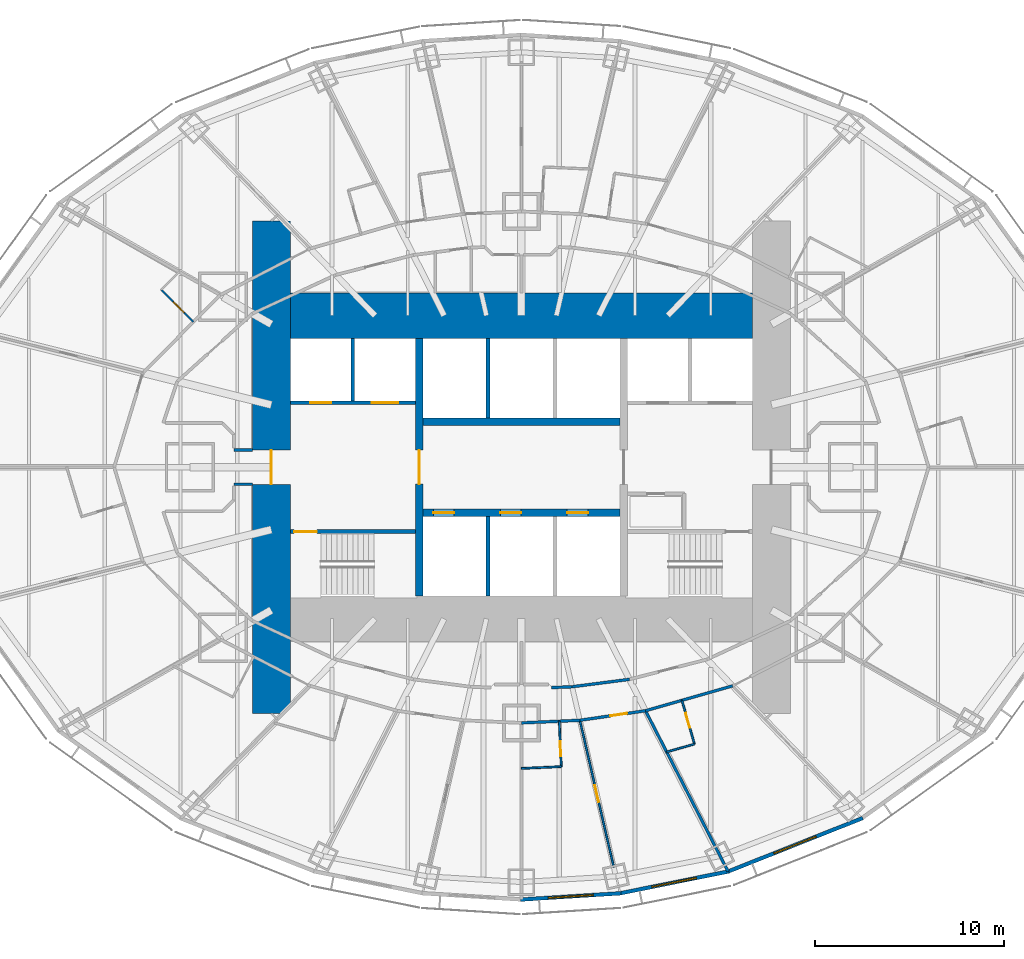
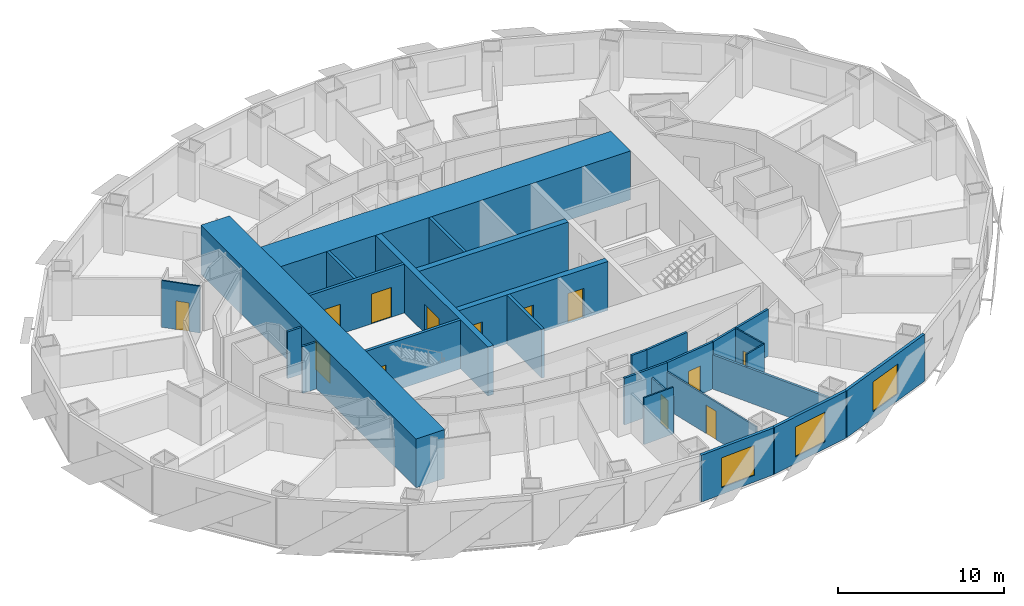
# One storey, part 6 of 15: 27 walls, 13 doors, 3 windows, 16 openings.
"""IFC4 building model written with IfcOpenShell, lengths in metres."""

import ifcopenshell
import ifcopenshell.guid

model = None  # the IFC model being written
_history = None  # IfcOwnerHistory: only IFC2X3 demands one
_inside = {}  # id of a spatial element -> (the spatial element, [elements in it])
_under = {}  # id of a project, library or spatial element -> (it, [spatial elements below it])
_declared = {}  # id of a project -> (the project, [libraries it declares])
_typed = {}  # id of a type object -> (the type object, [elements of that type])
_made_of = {}  # id of a material, layer set ... -> (it, [elements and type objects made of it])


def new_model(schema):
    """Start an empty IFC model of exactly this schema.

    Asked for "IFC4X3", IfcOpenShell would pick the latest addendum, in which some entities
    have other attributes; the version numbers below select the first issue.
    IFC2X3 requires an IfcOwnerHistory on every rooted entity: one is made here for all.
    """
    global model, _history
    if schema == "IFC4X3":
        model = ifcopenshell.file(schema_version=(4, 3, 0, 0))
    else:
        model = ifcopenshell.file(schema=schema)
    _inside.clear()
    _under.clear()
    _declared.clear()
    _typed.clear()
    _made_of.clear()
    _history = None
    if model.schema == "IFC2X3":
        org = make("IfcOrganization", Name="unknown")
        user = make(
            "IfcPersonAndOrganization",
            ThePerson=make("IfcPerson", FamilyName="unknown"),
            TheOrganization=org,
        )
        app = make(
            "IfcApplication",
            ApplicationDeveloper=org,
            Version="unknown",
            ApplicationFullName="unknown",
            ApplicationIdentifier="unknown",
        )
        _history = make(
            "IfcOwnerHistory",
            OwningUser=user,
            OwningApplication=app,
            ChangeAction="ADDED",
            CreationDate=0,
        )
    return model


def make(cls, **values):
    """One entity of the class cls with the attributes given. An attribute that is None is left unset."""
    return model.create_entity(
        cls, **{name: value for name, value in values.items() if value is not None}
    )


def rooted(cls, **values):
    """An entity with a GlobalId (a new one), such as an element, a storey or a relation."""
    return make(cls, GlobalId=ifcopenshell.guid.new(), OwnerHistory=_history, **values)


def si_unit(unit_type, name, prefix=None):
    """IfcSIUnit, for example si_unit("LENGTHUNIT", "METRE", prefix="MILLI")."""
    return make("IfcSIUnit", UnitType=unit_type, Prefix=prefix, Name=name)


def assignment(units):
    """IfcUnitAssignment: the units of a project."""
    return None if units is None else make("IfcUnitAssignment", Units=units)


def point(xyz):
    """IfcCartesianPoint."""
    return None if xyz is None else make("IfcCartesianPoint", Coordinates=xyz)


def direction(xyz):
    """IfcDirection."""
    return None if xyz is None else make("IfcDirection", DirectionRatios=xyz)


def frame(location, z_axis=None, x_axis=None):
    """IfcAxis2Placement3D, a coordinate frame: its origin and axes. An axis left out is left unset."""
    return make(
        "IfcAxis2Placement3D",
        Location=point(location),
        Axis=direction(z_axis),
        RefDirection=direction(x_axis),
    )


def frame_2d(location, x_axis=None):
    """IfcAxis2Placement2D, a coordinate frame in the plane: its origin and x axis."""
    return make(
        "IfcAxis2Placement2D", Location=point(location), RefDirection=direction(x_axis)
    )


def origin():
    """The frame at (0, 0, 0) with its axes left unset."""
    return frame((0.0, 0.0, 0.0))


def place(relative_to, where):
    """IfcLocalPlacement: puts the frame where relative to a parent placement (None: the world)."""
    return make(
        "IfcLocalPlacement", PlacementRelTo=relative_to, RelativePlacement=where
    )


def context(
    kind, dimensions, precision=None, world=None, true_north=None, identifier=None
):
    """IfcGeometricRepresentationContext, for example the 3D "Model" context."""
    return make(
        "IfcGeometricRepresentationContext",
        ContextIdentifier=identifier,
        ContextType=kind,
        CoordinateSpaceDimension=dimensions,
        Precision=precision,
        WorldCoordinateSystem=world,
        TrueNorth=true_north,
    )


def subcontext(parent, identifier, kind, view, scale=None):
    """IfcGeometricRepresentationSubContext, for example "Body" below "Model"."""
    return make(
        "IfcGeometricRepresentationSubContext",
        ContextIdentifier=identifier,
        ContextType=kind,
        ParentContext=parent,
        TargetScale=scale,
        TargetView=view,
    )


def project(units=None, contexts=None):
    """IfcProject with its units and contexts."""
    return rooted(
        "IfcProject",
        Name="project",
        RepresentationContexts=contexts,
        UnitsInContext=assignment(units),
    )


def spatial(cls, under=None, at=None, **own):
    """A site, building, storey or space (cls), placed at a placement, below another one or the project."""
    s = rooted(cls, ObjectPlacement=at, **own)
    if under is not None:
        _under.setdefault(under.id(), (under, []))[1].append(s)
    return s


def profile(cls, at=None, kind="AREA", **sizes):
    """A parametric profile (cls). Its sizes go by their IFC names, for example OverallWidth=200.0."""
    return make(cls, ProfileType=kind, Position=at, **sizes)


def rectangle(**sizes):
    """IfcRectangleProfileDef."""
    return profile("IfcRectangleProfileDef", **sizes)


def extrude(swept, where, along, depth):
    """IfcExtrudedAreaSolid: the profile swept, set in the frame where, extruded along a direction by depth."""
    return make(
        "IfcExtrudedAreaSolid",
        SweptArea=swept,
        Position=where,
        ExtrudedDirection=direction(along),
        Depth=depth,
    )


def shape(context_of_items, identifier, shape_type, items):
    """IfcShapeRepresentation: the items that make up one representation, for example the "Body"."""
    return make(
        "IfcShapeRepresentation",
        ContextOfItems=context_of_items,
        RepresentationIdentifier=identifier,
        RepresentationType=shape_type,
        Items=items,
    )


def material(Name=None, Category=None):
    """IfcMaterial."""
    return make("IfcMaterial", Name=Name, Category=Category)


def layer(
    of_material, thickness, ventilated=None, Name=None, Category=None, Priority=None
):
    """IfcMaterialLayer: one layer of a wall or slab, of a material (None: an air gap)."""
    return make(
        "IfcMaterialLayer",
        Material=of_material,
        LayerThickness=thickness,
        IsVentilated=ventilated,
        Name=Name,
        Category=Category,
        Priority=Priority,
    )


def layer_set(layers, Name=None):
    """IfcMaterialLayerSet."""
    return make("IfcMaterialLayerSet", MaterialLayers=layers, LayerSetName=Name)


def made_of(thing, what):
    """Note that an element or type object is made of a material, layer set ...; save() writes the relation."""
    if what is not None:
        _made_of.setdefault(what.id(), (what, []))[1].append(thing)
    return thing


def type_object(cls, material=None, **own):
    """A type object (cls), such as IfcWallType, which elements share."""
    return made_of(rooted(cls, **own), material)


def element(
    cls,
    number,
    at=None,
    inside=None,
    cuts=None,
    type_object=None,
    material=None,
    context=None,
    identifier="Body",
    shape_type=None,
    held_by="IfcProductDefinitionShape",
    body=None,
    shapes=None,
    **own,
):
    """One element of the class cls, such as IfcWall. Its Tag is "e" and its number.

    at: its placement. inside: the storey or other place that contains it. cuts: it is an
    opening in that element (IfcRelVoidsElement). A single representation is given by context,
    identifier, shape_type and body (its items); several are given by shapes. held_by: the class
    of the entity that holds the representations. save() writes the other relations.
    """
    e = rooted(cls, Tag="e%d" % number, ObjectPlacement=at, **own)
    if body is not None:
        shapes = [shape(context, identifier, shape_type, body)]
    if shapes is not None:
        e.Representation = make(held_by, Representations=shapes)
    if inside is not None:
        _inside.setdefault(inside.id(), (inside, []))[1].append(e)
    if cuts is not None:
        rooted(
            "IfcRelVoidsElement", RelatingBuildingElement=cuts, RelatedOpeningElement=e
        )
    if type_object is not None:
        _typed.setdefault(type_object.id(), (type_object, []))[1].append(e)
    return made_of(e, material)


def fill(opening, filler):
    """IfcRelFillsElement: the door or window that sits in an opening."""
    return rooted(
        "IfcRelFillsElement",
        RelatingOpeningElement=opening,
        RelatedBuildingElement=filler,
    )


def aggregate(whole, parts):
    """IfcRelAggregates: a whole, such as a stair, and the parts it consists of."""
    return rooted("IfcRelAggregates", RelatingObject=whole, RelatedObjects=parts)


def save(model, path):
    """Write the relations noted so far, then the file.

    IfcRelAggregates (storeys below a building ...), IfcRelContainedInSpatialStructure (elements
    in a storey), IfcRelDefinesByType, IfcRelAssociatesMaterial and IfcRelDeclares: one each for
    every whole, place, type object, material and project.
    """
    for whole, parts in _under.values():
        aggregate(whole, parts)
    for where, things in _inside.values():
        rooted(
            "IfcRelContainedInSpatialStructure",
            RelatedElements=things,
            RelatingStructure=where,
        )
    for kind, things in _typed.values():
        rooted("IfcRelDefinesByType", RelatedObjects=things, RelatingType=kind)
    for what, things in _made_of.values():
        rooted("IfcRelAssociatesMaterial", RelatedObjects=things, RelatingMaterial=what)
    for by, libraries in _declared.values():
        rooted("IfcRelDeclares", RelatingContext=by, RelatedDefinitions=libraries)
    model.write(path)


model = new_model("IFC4")

# Units and contexts
model_context = context("Model", 3, precision=1e-05, world=origin(), true_north=direction((0.0, 1.0)))
body_context = subcontext(model_context, "Body", "Model", "MODEL_VIEW")
ifc_project = project(units=[si_unit("LENGTHUNIT", "METRE"), si_unit("AREAUNIT", "SQUARE_METRE"), si_unit("VOLUMEUNIT", "CUBIC_METRE"), si_unit("PLANEANGLEUNIT", "RADIAN"), si_unit("MASSUNIT", "GRAM", prefix="KILO")], contexts=[model_context])

# Site, building, storey
site_placement = place(None, origin())
site = spatial("IfcSite", under=ifc_project, at=site_placement, CompositionType="ELEMENT")
building_placement = place(site_placement, origin())
building = spatial("IfcBuilding", under=site, at=building_placement, Name="Lantaw Convention Tower", CompositionType="ELEMENT")
storey_placement = place(building_placement, frame((0.0, 0.0, 47.800048828125)))
storey = spatial("IfcBuildingStorey", under=building, at=storey_placement, Name="L09", CompositionType="ELEMENT", Elevation=47.800048828125)

# Wall, opening, door
ifc_material_1 = material(Name="Moisture resistant gypsum board on steel studs", Category="steel")
ifc_layer_1 = layer(ifc_material_1, 0.10009765625)
ifc_layer_set_1 = layer_set([ifc_layer_1], Name="Bathroom wall 100")
wall_type_1 = type_object("IfcWallType", Name="Bathroom wall 100", PredefinedType="PARTITIONING", material=ifc_layer_set_1)
wall_1_placement = place(storey_placement, frame((-17.311279296875, 7.668212890625, 0.0), z_axis=(0.0, 0.0, 1.0), x_axis=(-0.709138392716, 0.705069315724, 0.0)))
wall_1 = element("IfcWall", 1, at=wall_1_placement, inside=storey, type_object=wall_type_1, Name="Bathroom wall 100", PredefinedType="PARTITIONING", context=body_context, shape_type="SweptSolid", body=[
    extrude(rectangle(XDim=2.39990234375, YDim=0.10009765625, at=frame_2d((1.199951171875, 0.0))), origin(), (0.0, 0.0, 1.0), 3.449951171875),
])
opening_1_placement = place(wall_1_placement, frame((0.699951171875, 0.0, 0.0)))
opening_1 = element("IfcOpeningElement", 2, at=opening_1_placement, cuts=wall_1, Name="Opening L09.41", PredefinedType="OPENING", context=body_context, shape_type="SweptSolid", body=[
    extrude(rectangle(XDim=0.800048828125, YDim=2.10009765625, at=frame_2d((0.39990234375, 1.050048828125))), frame((0.0, 0.06005859375, 0.0), z_axis=(0.0, -1.0, 0.0), x_axis=(1.0, 0.0, 0.0)), (0.0, 0.0, 1.0), 0.1201171875),
])
ifc_material_2 = material(Name="Timber", Category="wood")
door_type_1 = type_object("IfcDoorType", Name="Bathroom door 800", OperationType="SINGLE_SWING_LEFT", PredefinedType="DOOR", material=ifc_material_2)
door_1_placement = place(opening_1_placement, origin())
door_1 = element("IfcDoor", 3, at=door_1_placement, inside=storey, type_object=door_type_1, Name="Bathroom door", OperationType="SINGLE_SWING_LEFT", OverallHeight=2.10009765625, OverallWidth=0.800048828125, PredefinedType="DOOR", context=body_context, shape_type="SweptSolid", body=[
    extrude(rectangle(XDim=0.800048828125, YDim=2.10009765625, at=frame_2d((0.39990234375, 1.050048828125))), frame((0.0, 0.02490234375, 0.0), z_axis=(0.0, -1.0, 0.0), x_axis=(1.0, 0.0, 0.0)), (0.0, 0.0, 1.0), 0.050048828125),
])
fill(opening_1, door_1)

wall_2_placement = place(storey_placement, frame((1.998046875, -13.409423828125, 0.0), z_axis=(0.0, 0.0, 1.0), x_axis=(0.045163115153, -0.998979625933, 0.0)))
wall_2 = element("IfcWall", 4, at=wall_2_placement, inside=storey, type_object=wall_type_1, Name="Bathroom wall 100", PredefinedType="PARTITIONING", context=body_context, shape_type="SweptSolid", body=[
    extrude(rectangle(XDim=2.400146484375, YDim=0.10009765625, at=frame_2d((1.2001953125, 0.0))), origin(), (0.0, 0.0, 1.0), 2.7490234375),
])
opening_2_placement = place(wall_2_placement, frame((1.050048828125, 0.0, 0.0)))
opening_2 = element("IfcOpeningElement", 5, at=opening_2_placement, cuts=wall_2, Name="Opening L09.53", PredefinedType="OPENING", context=body_context, shape_type="SweptSolid", body=[
    extrude(rectangle(XDim=0.800048828125, YDim=2.10009765625, at=frame_2d((0.39990234375, 1.050048828125))), frame((0.0, 0.06005859375, 0.0), z_axis=(0.0, -1.0, 0.0), x_axis=(1.0, 0.0, 0.0)), (0.0, 0.0, 1.0), 0.1201171875),
])
door_2_placement = place(opening_2_placement, origin())
door_2 = element("IfcDoor", 6, at=door_2_placement, inside=storey, type_object=door_type_1, Name="Bathroom door", OperationType="SINGLE_SWING_LEFT", OverallHeight=2.10009765625, OverallWidth=0.800048828125, PredefinedType="DOOR", context=body_context, shape_type="SweptSolid", body=[
    extrude(rectangle(XDim=0.800048828125, YDim=2.10009765625, at=frame_2d((0.39990234375, 1.050048828125))), frame((0.0, 0.02490234375, 0.0), z_axis=(0.0, -1.0, 0.0), x_axis=(1.0, 0.0, 0.0)), (0.0, 0.0, 1.0), 0.050048828125),
])
fill(opening_2, door_2)

# Wall
wall_3_placement = place(storey_placement, frame((2.1064453125, -15.80712890625, 0.0), z_axis=(0.0, 0.0, 1.0), x_axis=(-0.998979967386, -0.045155561808, 0.0)))
element("IfcWall", 7, at=wall_3_placement, inside=storey, type_object=wall_type_1, Name="Bathroom wall 100", PredefinedType="PARTITIONING", context=body_context, shape_type="SweptSolid", body=[
    extrude(rectangle(XDim=2.108642578125, YDim=0.10009765625, at=frame_2d((1.05419921875, 0.0))), origin(), (0.0, 0.0, 1.0), 3.449951171875),
])

# Wall, opening, door
wall_4_placement = place(storey_placement, frame((8.474365234375, -12.30810546875, 0.0), z_axis=(0.0, 0.0, 1.0), x_axis=(0.27497640313, -0.961450975205, 0.0)))
wall_4 = element("IfcWall", 8, at=wall_4_placement, inside=storey, type_object=wall_type_1, Name="Bathroom wall 100", PredefinedType="PARTITIONING", context=body_context, shape_type="SweptSolid", body=[
    extrude(rectangle(XDim=2.39990234375, YDim=0.10009765625, at=frame_2d((1.199951171875, 0.0))), origin(), (0.0, 0.0, 1.0), 3.449951171875),
])
opening_3_placement = place(wall_4_placement, frame((0.699951171875, 0.0, 0.0)))
opening_3 = element("IfcOpeningElement", 9, at=opening_3_placement, cuts=wall_4, Name="Opening L09.56", PredefinedType="OPENING", context=body_context, shape_type="SweptSolid", body=[
    extrude(rectangle(XDim=0.800048828125, YDim=2.10009765625, at=frame_2d((0.39990234375, 1.050048828125))), frame((0.0, 0.06005859375, 0.0), z_axis=(0.0, -1.0, 0.0), x_axis=(1.0, 0.0, 0.0)), (0.0, 0.0, 1.0), 0.1201171875),
])
door_3_placement = place(opening_3_placement, origin())
door_3 = element("IfcDoor", 10, at=door_3_placement, inside=storey, type_object=door_type_1, Name="Bathroom door", OperationType="SINGLE_SWING_LEFT", OverallHeight=2.10009765625, OverallWidth=0.800048828125, PredefinedType="DOOR", context=body_context, shape_type="SweptSolid", body=[
    extrude(rectangle(XDim=0.800048828125, YDim=2.10009765625, at=frame_2d((0.39990234375, 1.050048828125))), frame((0.0, 0.02490234375, 0.0), z_axis=(0.0, -1.0, 0.0), x_axis=(1.0, 0.0, 0.0)), (0.0, 0.0, 1.0), 0.050048828125),
])
fill(opening_3, door_3)

# Wall
wall_5_placement = place(storey_placement, frame((9.13427734375, -14.615478515625, 0.0), z_axis=(0.0, 0.0, 1.0), x_axis=(-0.96145775668, -0.274952690695, 0.0)))
element("IfcWall", 11, at=wall_5_placement, inside=storey, type_object=wall_type_1, Name="Bathroom wall 100", PredefinedType="PARTITIONING", context=body_context, shape_type="SweptSolid", body=[
    extrude(rectangle(XDim=1.53173828125, YDim=0.10009765625, at=frame_2d((0.765869140625, 0.0))), origin(), (0.0, 0.0, 1.0), 3.449951171875),
])

# Wall, opening, door
ifc_material_3 = material(Name="Concrete C60/75", Category="concrete")
ifc_layer_2 = layer(ifc_material_3, 0.199951171875)
ifc_layer_set_2 = layer_set([ifc_layer_2], Name="Core wall 200")
wall_type_2 = type_object("IfcWallType", Name="Core wall 200", PredefinedType="SHEAR", material=ifc_layer_set_2)
wall_6_placement = place(storey_placement, frame((-5.60009765625, -3.39990234375, 0.0), z_axis=(0.0, 0.0, 1.0), x_axis=(-1.0, 0.0, 0.0)))
wall_6 = element("IfcWall", 12, at=wall_6_placement, inside=storey, type_object=wall_type_2, Name="Core wall WS", PredefinedType="SHEAR", context=body_context, shape_type="SweptSolid", body=[
    extrude(rectangle(XDim=6.599853515625, YDim=0.199951171875, at=frame_2d((3.2998046875, 0.0))), origin(), (0.0, 0.0, 1.0), 3.599853515625),
])
opening_4_placement = place(wall_6_placement, frame((5.199951171875, 0.0, 0.0)))
opening_4 = element("IfcOpeningElement", 13, at=opening_4_placement, cuts=wall_6, Name="Opening L09.05", PredefinedType="OPENING", context=body_context, shape_type="SweptSolid", body=[
    extrude(rectangle(XDim=1.199951171875, YDim=2.10009765625, at=frame_2d((0.60009765625, 1.050048828125))), frame((0.0, 0.10986328125, 0.0), z_axis=(0.0, -1.0, 0.0), x_axis=(1.0, 0.0, 0.0)), (0.0, 0.0, 1.0), 0.219970703125),
])
ifc_material_4 = material(Name="Steel, fire rated", Category="steel")
door_type_2 = type_object("IfcDoorType", Name="Stair door FD90", OperationType="SINGLE_SWING_RIGHT", PredefinedType="DOOR", material=ifc_material_4)
door_4_placement = place(opening_4_placement, origin())
door_4 = element("IfcDoor", 14, at=door_4_placement, inside=storey, type_object=door_type_2, Name="Exit stair door", OperationType="SINGLE_SWING_RIGHT", OverallHeight=2.10009765625, OverallWidth=1.199951171875, PredefinedType="DOOR", context=body_context, shape_type="SweptSolid", body=[
    extrude(rectangle(XDim=1.199951171875, YDim=2.10009765625, at=frame_2d((0.60009765625, 1.050048828125))), frame((0.0, 0.02490234375, 0.0), z_axis=(0.0, -1.0, 0.0), x_axis=(1.0, 0.0, 0.0)), (0.0, 0.0, 1.0), 0.050048828125),
])
fill(opening_4, door_4)

ifc_layer_3 = layer(ifc_material_3, 2.0)
ifc_layer_set_3 = layer_set([ifc_layer_3], Name="Core wall 2000")
wall_type_3 = type_object("IfcWallType", Name="Core wall 2000", PredefinedType="SHEAR", material=ifc_layer_set_3)
wall_7_placement = place(storey_placement, frame((-13.199951171875, 13.0, 0.0), z_axis=(0.0, 0.0, 1.0), x_axis=(0.0, -1.0, 0.0)))
wall_7 = element("IfcWall", 15, at=wall_7_placement, inside=storey, type_object=wall_type_3, Name="Core wall W", PredefinedType="SHEAR", context=body_context, shape_type="SweptSolid", body=[
    extrude(rectangle(XDim=26.0, YDim=2.0, at=frame_2d((13.0, 0.0))), origin(), (0.0, 0.0, 1.0), 3.599853515625),
])
opening_5_placement = place(wall_7_placement, frame((12.10009765625, 0.0, 0.0)))
opening_5 = element("IfcOpeningElement", 16, at=opening_5_placement, cuts=wall_7, Name="Opening L09.07", PredefinedType="OPENING", context=body_context, shape_type="SweptSolid", body=[
    extrude(rectangle(XDim=1.800048828125, YDim=2.10009765625, at=frame_2d((0.89990234375, 1.050048828125))), frame((0.0, 1.010009765625, 0.0), z_axis=(0.0, -1.0, 0.0), x_axis=(1.0, 0.0, 0.0)), (0.0, 0.0, 1.0), 2.02001953125),
])
door_type_3 = type_object("IfcDoorType", Name="Lobby double door FD90", OperationType="DOUBLE_DOOR_DOUBLE_SWING", PredefinedType="DOOR", material=ifc_material_4)
door_5_placement = place(opening_5_placement, origin())
door_5 = element("IfcDoor", 17, at=door_5_placement, inside=storey, type_object=door_type_3, Name="Firefighting lobby door", OperationType="DOUBLE_DOOR_DOUBLE_SWING", OverallHeight=2.10009765625, OverallWidth=1.800048828125, PredefinedType="DOOR", context=body_context, shape_type="SweptSolid", body=[
    extrude(rectangle(XDim=1.800048828125, YDim=2.10009765625, at=frame_2d((0.89990234375, 1.050048828125))), frame((0.0, 0.02490234375, 0.0), z_axis=(0.0, -1.0, 0.0), x_axis=(1.0, 0.0, 0.0)), (0.0, 0.0, 1.0), 0.050048828125),
])
fill(opening_5, door_5)

# Wall
ifc_layer_4 = layer(ifc_material_3, 2.39990234375)
ifc_layer_set_4 = layer_set([ifc_layer_4], Name="Core wall 2400")
wall_type_4 = type_object("IfcWallType", Name="Core wall 2400", PredefinedType="SHEAR", material=ifc_layer_set_4)
wall_8_placement = place(storey_placement, frame((12.199951171875, 8.0, 0.0), z_axis=(0.0, 0.0, 1.0), x_axis=(-1.0, 0.0, 0.0)))
element("IfcWall", 18, at=wall_8_placement, inside=storey, type_object=wall_type_4, Name="Core wall N", PredefinedType="SHEAR", context=body_context, shape_type="SweptSolid", body=[
    extrude(rectangle(XDim=24.39990234375, YDim=2.39990234375, at=frame_2d((12.199951171875, 0.0))), origin(), (0.0, 0.0, 1.0), 3.599853515625),
])

# Wall, opening, door
ifc_layer_5 = layer(ifc_material_3, 0.39990234375)
ifc_layer_set_5 = layer_set([ifc_layer_5], Name="Core wall 400")
wall_type_5 = type_object("IfcWallType", Name="Core wall 400", PredefinedType="SHEAR", material=ifc_layer_set_5)
wall_9_placement = place(storey_placement, frame((-5.39990234375, 6.800048828125, 0.0), z_axis=(0.0, 0.0, 1.0), x_axis=(0.0, -1.0, 0.0)))
wall_9 = element("IfcWall", 19, at=wall_9_placement, inside=storey, type_object=wall_type_5, Name="Core wall XW", PredefinedType="SHEAR", context=body_context, shape_type="SweptSolid", body=[
    extrude(rectangle(XDim=13.60009765625, YDim=0.39990234375, at=frame_2d((6.800048828125, 0.0))), origin(), (0.0, 0.0, 1.0), 3.599853515625),
])
opening_6_placement = place(wall_9_placement, frame((5.89990234375, 0.0, 0.0)))
opening_6 = element("IfcOpeningElement", 20, at=opening_6_placement, cuts=wall_9, Name="Opening L09.03", PredefinedType="OPENING", context=body_context, shape_type="SweptSolid", body=[
    extrude(rectangle(XDim=1.800048828125, YDim=2.10009765625, at=frame_2d((0.89990234375, 1.050048828125))), frame((0.0, 0.2099609375, 0.0), z_axis=(0.0, -1.0, 0.0), x_axis=(1.0, 0.0, 0.0)), (0.0, 0.0, 1.0), 0.419921875),
])
door_6_placement = place(opening_6_placement, origin())
door_6 = element("IfcDoor", 21, at=door_6_placement, inside=storey, type_object=door_type_3, Name="Lift lobby door", OperationType="DOUBLE_DOOR_DOUBLE_SWING", OverallHeight=2.10009765625, OverallWidth=1.800048828125, PredefinedType="DOOR", context=body_context, shape_type="SweptSolid", body=[
    extrude(rectangle(XDim=1.800048828125, YDim=2.10009765625, at=frame_2d((0.89990234375, 1.050048828125))), frame((0.0, 0.02490234375, 0.0), z_axis=(0.0, -1.0, 0.0), x_axis=(1.0, 0.0, 0.0)), (0.0, 0.0, 1.0), 0.050048828125),
])
fill(opening_6, door_6)

# Wall, openings, doors
wall_10_placement = place(storey_placement, frame((-5.199951171875, -2.39990234375, 0.0), z_axis=(0.0, 0.0, 1.0), x_axis=(1.0, 0.0, 0.0)))
wall_10 = element("IfcWall", 22, at=wall_10_placement, inside=storey, type_object=wall_type_5, Name="Core wall BS", PredefinedType="SHEAR", context=body_context, shape_type="SweptSolid", body=[
    extrude(rectangle(XDim=10.39990234375, YDim=0.39990234375, at=frame_2d((5.199951171875, 0.0))), origin(), (0.0, 0.0, 1.0), 3.599853515625),
])
opening_7_placement = place(wall_10_placement, frame((0.550048828125, 0.0, 0.0)))
opening_7 = element("IfcOpeningElement", 23, at=opening_7_placement, cuts=wall_10, Name="Opening L09.08", PredefinedType="OPENING", context=body_context, shape_type="SweptSolid", body=[
    extrude(rectangle(XDim=1.10009765625, YDim=2.199951171875, at=frame_2d((0.550048828125, 1.10009765625))), frame((0.0, 0.2099609375, 0.0), z_axis=(0.0, -1.0, 0.0), x_axis=(1.0, 0.0, 0.0)), (0.0, 0.0, 1.0), 0.419921875),
])
opening_8_placement = place(wall_10_placement, frame((4.083251953125, 0.0, 0.0)))
opening_8 = element("IfcOpeningElement", 24, at=opening_8_placement, cuts=wall_10, Name="Opening L09.09", PredefinedType="OPENING", context=body_context, shape_type="SweptSolid", body=[
    extrude(rectangle(XDim=1.10009765625, YDim=2.199951171875, at=frame_2d((0.550048828125, 1.10009765625))), frame((0.0, 0.2099609375, 0.0), z_axis=(0.0, -1.0, 0.0), x_axis=(1.0, 0.0, 0.0)), (0.0, 0.0, 1.0), 0.419921875),
])
opening_9_placement = place(wall_10_placement, frame((7.61669921875, 0.0, 0.0)))
opening_9 = element("IfcOpeningElement", 25, at=opening_9_placement, cuts=wall_10, Name="Opening L09.10", PredefinedType="OPENING", context=body_context, shape_type="SweptSolid", body=[
    extrude(rectangle(XDim=1.10009765625, YDim=2.199951171875, at=frame_2d((0.550048828125, 1.10009765625))), frame((0.0, 0.2099609375, 0.0), z_axis=(0.0, -1.0, 0.0), x_axis=(1.0, 0.0, 0.0)), (0.0, 0.0, 1.0), 0.419921875),
])
ifc_material_5 = material(Name="Stainless steel", Category="steel")
door_type_4 = type_object("IfcDoorType", Name="Lift landing door 1100", OperationType="DOUBLE_DOOR_SLIDING", PredefinedType="DOOR", material=ifc_material_5)
door_7_placement = place(opening_7_placement, origin())
door_7 = element("IfcDoor", 26, at=door_7_placement, inside=storey, type_object=door_type_4, Name="Lift landing door H1", OperationType="DOUBLE_DOOR_SLIDING", OverallHeight=2.199951171875, OverallWidth=1.10009765625, PredefinedType="DOOR", context=body_context, shape_type="SweptSolid", body=[
    extrude(rectangle(XDim=1.10009765625, YDim=2.199951171875, at=frame_2d((0.550048828125, 1.10009765625))), frame((0.0, 0.02490234375, 0.0), z_axis=(0.0, -1.0, 0.0), x_axis=(1.0, 0.0, 0.0)), (0.0, 0.0, 1.0), 0.050048828125),
])
fill(opening_7, door_7)
door_8_placement = place(opening_8_placement, origin())
door_8 = element("IfcDoor", 27, at=door_8_placement, inside=storey, type_object=door_type_4, Name="Lift landing door H2", OperationType="DOUBLE_DOOR_SLIDING", OverallHeight=2.199951171875, OverallWidth=1.10009765625, PredefinedType="DOOR", context=body_context, shape_type="SweptSolid", body=[
    extrude(rectangle(XDim=1.10009765625, YDim=2.199951171875, at=frame_2d((0.550048828125, 1.10009765625))), frame((0.0, 0.02490234375, 0.0), z_axis=(0.0, -1.0, 0.0), x_axis=(1.0, 0.0, 0.0)), (0.0, 0.0, 1.0), 0.050048828125),
])
fill(opening_8, door_8)
door_9_placement = place(opening_9_placement, origin())
door_9 = element("IfcDoor", 28, at=door_9_placement, inside=storey, type_object=door_type_4, Name="Lift landing door H3", OperationType="DOUBLE_DOOR_SLIDING", OverallHeight=2.199951171875, OverallWidth=1.10009765625, PredefinedType="DOOR", context=body_context, shape_type="SweptSolid", body=[
    extrude(rectangle(XDim=1.10009765625, YDim=2.199951171875, at=frame_2d((0.550048828125, 1.10009765625))), frame((0.0, 0.02490234375, 0.0), z_axis=(0.0, -1.0, 0.0), x_axis=(1.0, 0.0, 0.0)), (0.0, 0.0, 1.0), 0.050048828125),
])
fill(opening_9, door_9)

# Walls
wall_11_placement = place(storey_placement, frame((5.199951171875, 2.39990234375, 0.0), z_axis=(0.0, 0.0, 1.0), x_axis=(-1.0, 0.0, 0.0)))
element("IfcWall", 29, at=wall_11_placement, inside=storey, type_object=wall_type_5, Name="Core wall BN", PredefinedType="SHEAR", context=body_context, shape_type="SweptSolid", body=[
    extrude(rectangle(XDim=10.39990234375, YDim=0.39990234375, at=frame_2d((5.199951171875, 0.0))), origin(), (0.0, 0.0, 1.0), 3.599853515625),
])
ifc_material_6 = material(Name="Gypsum board on steel studs, fire rated", Category="steel")
ifc_layer_6 = layer(ifc_material_6, 0.14990234375)
ifc_layer_set_6 = layer_set([ifc_layer_6], Name="Corridor wall 150 EI 60")
wall_type_6 = type_object("IfcWallType", Name="Corridor wall 150 EI 60", PredefinedType="PARTITIONING", material=ifc_layer_set_6)
wall_12_placement = place(storey_placement, frame((0.0, -13.5, 0.0), z_axis=(0.0, 0.0, 1.0), x_axis=(0.998976675711, 0.045228325036, 0.0)))
element("IfcWall", 30, at=wall_12_placement, inside=storey, type_object=wall_type_6, Name="Corridor wall 150", PredefinedType="PARTITIONING", context=body_context, shape_type="SweptSolid", body=[
    extrude(rectangle(XDim=3.087646484375, YDim=0.14990234375, at=frame_2d((1.5439453125, 0.0))), origin(), (0.0, 0.0, 1.0), 3.449951171875),
])

# Wall, opening, door
wall_13_placement = place(storey_placement, frame((3.08447265625, -13.3603515625, 0.0), z_axis=(0.0, 0.0, 1.0), x_axis=(0.989661745886, 0.143421158583, 0.0)))
wall_13 = element("IfcWall", 31, at=wall_13_placement, inside=storey, type_object=wall_type_6, Name="Corridor wall 150", PredefinedType="PARTITIONING", context=body_context, shape_type="SweptSolid", body=[
    extrude(rectangle(XDim=3.503173828125, YDim=0.14990234375, at=frame_2d((1.75146484375, 0.0))), origin(), (0.0, 0.0, 1.0), 3.449951171875),
])
opening_10_placement = place(wall_13_placement, frame((1.61572265625, 0.0, 0.0)))
opening_10 = element("IfcOpeningElement", 32, at=opening_10_placement, cuts=wall_13, Name="Opening L09.55", PredefinedType="OPENING", context=body_context, shape_type="SweptSolid", body=[
    extrude(rectangle(XDim=0.89990234375, YDim=2.10009765625, at=frame_2d((0.449951171875, 1.050048828125))), frame((0.0, 0.0849609375, 0.0), z_axis=(0.0, -1.0, 0.0), x_axis=(1.0, 0.0, 0.0)), (0.0, 0.0, 1.0), 0.169921875),
])
door_type_5 = type_object("IfcDoorType", Name="Guest room entrance door FD30S", OperationType="SINGLE_SWING_LEFT", PredefinedType="DOOR", material=ifc_material_4)
door_10_placement = place(opening_10_placement, origin())
door_10 = element("IfcDoor", 33, at=door_10_placement, inside=storey, type_object=door_type_5, Name="Suite entrance door", OperationType="SINGLE_SWING_LEFT", OverallHeight=2.10009765625, OverallWidth=0.89990234375, PredefinedType="DOOR", context=body_context, shape_type="SweptSolid", body=[
    extrude(rectangle(XDim=0.89990234375, YDim=2.10009765625, at=frame_2d((0.449951171875, 1.050048828125))), frame((0.0, 0.02490234375, 0.0), z_axis=(0.0, -1.0, 0.0), x_axis=(1.0, 0.0, 0.0)), (0.0, 0.0, 1.0), 0.050048828125),
])
fill(opening_10, door_10)

# Walls
wall_14_placement = place(storey_placement, frame((6.551513671875, -12.85791015625, 0.0), z_axis=(0.0, 0.0, 1.0), x_axis=(0.961464178199, 0.27493023486, 0.0)))
element("IfcWall", 34, at=wall_14_placement, inside=storey, type_object=wall_type_6, Name="Corridor wall 150", PredefinedType="PARTITIONING", context=body_context, shape_type="SweptSolid", body=[
    extrude(rectangle(XDim=4.7802734375, YDim=0.14990234375, at=frame_2d((2.39013671875, 0.0))), origin(), (0.0, 0.0, 1.0), 3.449951171875),
])
wall_15_placement = place(storey_placement, frame((2.676025390625, -11.591552734375, 0.0), z_axis=(0.0, 0.0, 1.0), x_axis=(0.99168929531, 0.128655903743, 0.0)))
element("IfcWall", 35, at=wall_15_placement, inside=storey, type_object=wall_type_6, Name="Corridor wall 150", PredefinedType="PARTITIONING", context=body_context, shape_type="SweptSolid", body=[
    extrude(rectangle(XDim=3.05517578125, YDim=0.14990234375, at=frame_2d((1.527587890625, 0.0))), origin(), (0.0, 0.0, 1.0), 3.449951171875),
])
for number, where, z_axis, x_axis, name in (
    (36, (-14.199951171875, -0.89990234375, 0.0), (0.0, 0.0, 1.0), (-1.0, 0.0, 0.0), "Corridor wall 150"),
    (37, (-14.199951171875, 0.89990234375, 0.0), (0.0, 0.0, 1.0), (-1.0, 0.0, 0.0), "Corridor wall 150"),
):
    element("IfcWall", number, at=place(storey_placement, frame(where, z_axis=z_axis, x_axis=x_axis)), inside=storey, type_object=wall_type_6, Name=name, PredefinedType="PARTITIONING", context=body_context, shape_type="SweptSolid", body=[
        extrude(rectangle(XDim=0.965087890625, YDim=0.14990234375, at=frame_2d((0.482421875, 0.0))), origin(), (0.0, 0.0, 1.0), 3.449951171875),
    ])
wall_16_placement = place(storey_placement, frame((1.598876953125, -11.63525390625, 0.0), z_axis=(0.0, 0.0, 1.0), x_axis=(0.999178004727, 0.040537820228, 0.0)))
element("IfcWall", 38, at=wall_16_placement, inside=storey, type_object=wall_type_6, Name="Corridor wall 150", PredefinedType="PARTITIONING", context=body_context, shape_type="SweptSolid", body=[
    extrude(rectangle(XDim=1.078125, YDim=0.14990234375, at=frame_2d((0.5390625, 0.0))), origin(), (0.0, 0.0, 1.0), 3.449951171875),
])

# Wall, opening, window
ifc_material_7 = material(Name="Insulated aluminium panel on steel frame", Category="steel")
ifc_layer_7 = layer(ifc_material_7, 0.199951171875)
ifc_layer_set_7 = layer_set([ifc_layer_7], Name="External wall 200")
wall_type_7 = type_object("IfcWallType", Name="External wall 200", PredefinedType="SOLIDWALL", material=ifc_layer_set_7)
wall_17_placement = place(storey_placement, frame((-0.041015625, -22.8271484375, 0.0), z_axis=(0.0, 0.0, 1.0), x_axis=(0.998018582375, 0.062919863585, 0.0)))
wall_17 = element("IfcWall", 39, at=wall_17_placement, inside=storey, type_object=wall_type_7, Name="Facade panel wall", PredefinedType="SOLIDWALL", context=body_context, shape_type="SweptSolid", body=[
    extrude(rectangle(XDim=5.30419921875, YDim=0.199951171875, at=frame_2d((2.652099609375, 0.0))), origin(), (0.0, 0.0, 1.0), 3.449951171875),
])
opening_11_placement = place(wall_17_placement, frame((1.4521484375, 0.0, 0.5)))
opening_11 = element("IfcOpeningElement", 40, at=opening_11_placement, cuts=wall_17, Name="Opening W1", PredefinedType="OPENING", context=body_context, shape_type="SweptSolid", body=[
    extrude(rectangle(XDim=2.39990234375, YDim=2.199951171875, at=frame_2d((1.199951171875, 1.10009765625))), frame((0.0, 0.10986328125, 0.0), z_axis=(0.0, -1.0, 0.0), x_axis=(1.0, 0.0, 0.0)), (0.0, 0.0, 1.0), 0.219970703125),
])
ifc_material_8 = material(Name="Aluminium frame, clear insulating glass", Category="aluminium")
window_type = type_object("IfcWindowType", Name="Guest room window 2400x2200", PartitioningType="SINGLE_PANEL", PredefinedType="WINDOW", material=ifc_material_8)
window_1_placement = place(opening_11_placement, origin())
window_1 = element("IfcWindow", 41, at=window_1_placement, inside=storey, type_object=window_type, Name="Guest room window", OverallHeight=2.199951171875, OverallWidth=2.39990234375, PartitioningType="SINGLE_PANEL", PredefinedType="WINDOW", context=body_context, shape_type="SweptSolid", body=[
    extrude(rectangle(XDim=2.39990234375, YDim=2.199951171875, at=frame_2d((1.199951171875, 1.10009765625))), frame((0.0, 0.030029296875, 0.0), z_axis=(0.0, -1.0, 0.0), x_axis=(1.0, 0.0, 0.0)), (0.0, 0.0, 1.0), 0.06005859375),
])
fill(opening_11, window_1)

wall_18_placement = place(storey_placement, frame((5.169677734375, -22.504150390625, 0.0), z_axis=(0.0, 0.0, 1.0), x_axis=(0.980251657452, 0.197754110105, 0.0)))
wall_18 = element("IfcWall", 42, at=wall_18_placement, inside=storey, type_object=wall_type_7, Name="Facade panel wall", PredefinedType="SOLIDWALL", context=body_context, shape_type="SweptSolid", body=[
    extrude(rectangle(XDim=5.90380859375, YDim=0.199951171875, at=frame_2d((2.951904296875, 0.0))), origin(), (0.0, 0.0, 1.0), 3.449951171875),
])
opening_12_placement = place(wall_18_placement, frame((1.751708984375, 0.0, 0.5)))
opening_12 = element("IfcOpeningElement", 43, at=opening_12_placement, cuts=wall_18, Name="Opening W1", PredefinedType="OPENING", context=body_context, shape_type="SweptSolid", body=[
    extrude(rectangle(XDim=2.39990234375, YDim=2.199951171875, at=frame_2d((1.199951171875, 1.10009765625))), frame((0.0, 0.10986328125, 0.0), z_axis=(0.0, -1.0, 0.0), x_axis=(1.0, 0.0, 0.0)), (0.0, 0.0, 1.0), 0.219970703125),
])
window_2_placement = place(opening_12_placement, origin())
window_2 = element("IfcWindow", 44, at=window_2_placement, inside=storey, type_object=window_type, Name="Guest room window", OverallHeight=2.199951171875, OverallWidth=2.39990234375, PartitioningType="SINGLE_PANEL", PredefinedType="WINDOW", context=body_context, shape_type="SweptSolid", body=[
    extrude(rectangle(XDim=2.39990234375, YDim=2.199951171875, at=frame_2d((1.199951171875, 1.10009765625))), frame((0.0, 0.030029296875, 0.0), z_axis=(0.0, -1.0, 0.0), x_axis=(1.0, 0.0, 0.0)), (0.0, 0.0, 1.0), 0.06005859375),
])
fill(opening_12, window_2)

wall_19_placement = place(storey_placement, frame((10.869384765625, -21.362548828125, 0.0), z_axis=(0.0, 0.0, 1.0), x_axis=(0.929358351251, 0.369178892895, 0.0)))
wall_19 = element("IfcWall", 45, at=wall_19_placement, inside=storey, type_object=wall_type_7, Name="Facade panel wall", PredefinedType="SOLIDWALL", context=body_context, shape_type="SweptSolid", body=[
    extrude(rectangle(XDim=7.6923828125, YDim=0.199951171875, at=frame_2d((3.84619140625, 0.0))), origin(), (0.0, 0.0, 1.0), 3.449951171875),
])
opening_13_placement = place(wall_19_placement, frame((2.64599609375, 0.0, 0.5)))
opening_13 = element("IfcOpeningElement", 46, at=opening_13_placement, cuts=wall_19, Name="Opening W1", PredefinedType="OPENING", context=body_context, shape_type="SweptSolid", body=[
    extrude(rectangle(XDim=2.39990234375, YDim=2.199951171875, at=frame_2d((1.199951171875, 1.10009765625))), frame((0.0, 0.10986328125, 0.0), z_axis=(0.0, -1.0, 0.0), x_axis=(1.0, 0.0, 0.0)), (0.0, 0.0, 1.0), 0.219970703125),
])
window_3_placement = place(opening_13_placement, origin())
window_3 = element("IfcWindow", 47, at=window_3_placement, inside=storey, type_object=window_type, Name="Guest room window", OverallHeight=2.199951171875, OverallWidth=2.39990234375, PartitioningType="SINGLE_PANEL", PredefinedType="WINDOW", context=body_context, shape_type="SweptSolid", body=[
    extrude(rectangle(XDim=2.39990234375, YDim=2.199951171875, at=frame_2d((1.199951171875, 1.10009765625))), frame((0.0, 0.030029296875, 0.0), z_axis=(0.0, -1.0, 0.0), x_axis=(1.0, 0.0, 0.0)), (0.0, 0.0, 1.0), 0.06005859375),
])
fill(opening_13, window_3)

# Walls
ifc_material_9 = material(Name="Gypsum board on steel studs, acoustic", Category="steel")
ifc_layer_8 = layer(ifc_material_9, 0.14990234375)
ifc_layer_set_8 = layer_set([ifc_layer_8], Name="Guest room party wall 150")
wall_type_8 = type_object("IfcWallType", Name="Guest room party wall 150", PredefinedType="PARTITIONING", material=ifc_layer_set_8)
wall_20_placement = place(storey_placement, frame((10.911865234375, -21.345703125, 0.0), z_axis=(0.0, 0.0, 1.0), x_axis=(-0.456950233066, 0.889492262193, 0.0)))
element("IfcWall", 48, at=wall_20_placement, inside=storey, type_object=wall_type_8, Name="Guest room party wall 150", PredefinedType="PARTITIONING", context=body_context, shape_type="SweptSolid", body=[
    extrude(rectangle(XDim=9.542236328125, YDim=0.14990234375, at=frame_2d((4.77099609375, 0.0))), origin(), (0.0, 0.0, 1.0), 2.52783203125),
])
ifc_material_10 = material(Name="Concrete blockwork, fire rated", Category="masonry")
ifc_layer_9 = layer(ifc_material_10, 0.199951171875)
ifc_layer_set_9 = layer_set([ifc_layer_9], Name="Shaft wall 200")
wall_type_9 = type_object("IfcWallType", Name="Shaft wall 200", PredefinedType="SOLIDWALL", material=ifc_layer_set_9)
wall_21_placement = place(storey_placement, frame((-1.7666015625, 2.60009765625, 0.0), z_axis=(0.0, 0.0, 1.0), x_axis=(0.0, 1.0, 0.0)))
element("IfcWall", 49, at=wall_21_placement, inside=storey, type_object=wall_type_9, Name="Shaft wall DN1", PredefinedType="SOLIDWALL", context=body_context, shape_type="SweptSolid", body=[
    extrude(rectangle(XDim=4.199951171875, YDim=0.199951171875, at=frame_2d((2.10009765625, 0.0))), origin(), (0.0, 0.0, 1.0), 3.599853515625),
])

# Wall, openings, doors
wall_22_placement = place(storey_placement, frame((-12.199951171875, 3.39990234375, 0.0), z_axis=(0.0, 0.0, 1.0), x_axis=(1.0, 0.0, 0.0)))
wall_22 = element("IfcWall", 50, at=wall_22_placement, inside=storey, type_object=wall_type_9, Name="Shaft wall WN", PredefinedType="SOLIDWALL", context=body_context, shape_type="SweptSolid", body=[
    extrude(rectangle(XDim=6.599853515625, YDim=0.199951171875, at=frame_2d((3.2998046875, 0.0))), origin(), (0.0, 0.0, 1.0), 3.599853515625),
])
opening_14_placement = place(wall_22_placement, frame((1.050048828125, 0.0, 0.0)))
opening_14 = element("IfcOpeningElement", 51, at=opening_14_placement, cuts=wall_22, Name="Opening L09.11", PredefinedType="OPENING", context=body_context, shape_type="SweptSolid", body=[
    extrude(rectangle(XDim=1.10009765625, YDim=2.199951171875, at=frame_2d((0.550048828125, 1.10009765625))), frame((0.0, 0.10986328125, 0.0), z_axis=(0.0, -1.0, 0.0), x_axis=(1.0, 0.0, 0.0)), (0.0, 0.0, 1.0), 0.219970703125),
])
opening_15_placement = place(wall_22_placement, frame((4.300048828125, 0.0, 0.0)))
opening_15 = element("IfcOpeningElement", 52, at=opening_15_placement, cuts=wall_22, Name="Opening L09.12", PredefinedType="OPENING", context=body_context, shape_type="SweptSolid", body=[
    extrude(rectangle(XDim=1.39990234375, YDim=2.199951171875, at=frame_2d((0.699951171875, 1.10009765625))), frame((0.0, 0.10986328125, 0.0), z_axis=(0.0, -1.0, 0.0), x_axis=(1.0, 0.0, 0.0)), (0.0, 0.0, 1.0), 0.219970703125),
])
door_11_placement = place(opening_14_placement, origin())
door_11 = element("IfcDoor", 53, at=door_11_placement, inside=storey, type_object=door_type_4, Name="Lift landing door FF1", OperationType="DOUBLE_DOOR_SLIDING", OverallHeight=2.199951171875, OverallWidth=1.10009765625, PredefinedType="DOOR", context=body_context, shape_type="SweptSolid", body=[
    extrude(rectangle(XDim=1.10009765625, YDim=2.199951171875, at=frame_2d((0.550048828125, 1.10009765625))), frame((0.0, 0.02490234375, 0.0), z_axis=(0.0, -1.0, 0.0), x_axis=(1.0, 0.0, 0.0)), (0.0, 0.0, 1.0), 0.050048828125),
])
fill(opening_14, door_11)
door_type_6 = type_object("IfcDoorType", Name="Lift landing door 1400", OperationType="DOUBLE_DOOR_SLIDING", PredefinedType="DOOR", material=ifc_material_5)
door_12_placement = place(opening_15_placement, origin())
door_12 = element("IfcDoor", 54, at=door_12_placement, inside=storey, type_object=door_type_6, Name="Lift landing door SV1", OperationType="DOUBLE_DOOR_SLIDING", OverallHeight=2.199951171875, OverallWidth=1.39990234375, PredefinedType="DOOR", context=body_context, shape_type="SweptSolid", body=[
    extrude(rectangle(XDim=1.39990234375, YDim=2.199951171875, at=frame_2d((0.699951171875, 1.10009765625))), frame((0.0, 0.02490234375, 0.0), z_axis=(0.0, -1.0, 0.0), x_axis=(1.0, 0.0, 0.0)), (0.0, 0.0, 1.0), 0.050048828125),
])
fill(opening_15, door_12)

# Walls
wall_23_placement = place(storey_placement, frame((-8.89990234375, 3.5, 0.0), z_axis=(0.0, 0.0, 1.0), x_axis=(0.0, 1.0, 0.0)))
element("IfcWall", 55, at=wall_23_placement, inside=storey, type_object=wall_type_9, Name="Shaft wall WD", PredefinedType="SOLIDWALL", context=body_context, shape_type="SweptSolid", body=[
    extrude(rectangle(XDim=3.300048828125, YDim=0.199951171875, at=frame_2d((1.64990234375, 0.0))), origin(), (0.0, 0.0, 1.0), 3.599853515625),
])
ifc_layer_10 = layer(ifc_material_10, 0.199951171875)
ifc_layer_set_10 = layer_set([ifc_layer_10], Name="Shaft wall 200 load-bearing")
wall_type_10 = type_object("IfcWallType", Name="Shaft wall 200 load-bearing", PredefinedType="SOLIDWALL", material=ifc_layer_set_10)
wall_24_placement = place(storey_placement, frame((-1.7666015625, -2.60009765625, 0.0), z_axis=(0.0, 0.0, 1.0), x_axis=(0.0, -1.0, 0.0)))
element("IfcWall", 56, at=wall_24_placement, inside=storey, type_object=wall_type_10, Name="Shaft wall DS1", PredefinedType="SOLIDWALL", context=body_context, shape_type="SweptSolid", body=[
    extrude(rectangle(XDim=4.199951171875, YDim=0.199951171875, at=frame_2d((2.10009765625, 0.0))), origin(), (0.0, 0.0, 1.0), 3.599853515625),
])

# Wall, opening, door
ifc_material_11 = material(Name="Gypsum board on steel studs", Category="steel")
ifc_layer_11 = layer(ifc_material_11, 0.10009765625)
ifc_layer_set_11 = layer_set([ifc_layer_11], Name="Suite partition 100")
wall_type_11 = type_object("IfcWallType", Name="Suite partition 100", PredefinedType="PARTITIONING", material=ifc_layer_set_11)
wall_25_placement = place(storey_placement, frame((4.873779296875, -21.11083984375, 0.0), z_axis=(0.0, 0.0, 1.0), x_axis=(-0.22494692831, 0.974371017346, 0.0)))
wall_25 = element("IfcWall", 57, at=wall_25_placement, inside=storey, type_object=wall_type_11, Name="Suite partition 100", PredefinedType="PARTITIONING", context=body_context, shape_type="SweptSolid", body=[
    extrude(rectangle(XDim=7.954345703125, YDim=0.10009765625, at=frame_2d((3.97705078125, 0.0))), origin(), (0.0, 0.0, 1.0), 2.7666015625),
])
opening_16_placement = place(wall_25_placement, frame((3.527099609375, 0.0, 0.0)))
opening_16 = element("IfcOpeningElement", 58, at=opening_16_placement, cuts=wall_25, Name="Opening L09.54", PredefinedType="OPENING", context=body_context, shape_type="SweptSolid", body=[
    extrude(rectangle(XDim=0.89990234375, YDim=2.10009765625, at=frame_2d((0.449951171875, 1.050048828125))), frame((0.0, 0.06005859375, 0.0), z_axis=(0.0, -1.0, 0.0), x_axis=(1.0, 0.0, 0.0)), (0.0, 0.0, 1.0), 0.1201171875),
])
door_type_7 = type_object("IfcDoorType", Name="Suite door 900", OperationType="SINGLE_SWING_LEFT", PredefinedType="DOOR", material=ifc_material_2)
door_13_placement = place(opening_16_placement, origin())
door_13 = element("IfcDoor", 59, at=door_13_placement, inside=storey, type_object=door_type_7, Name="Bedroom door", OperationType="SINGLE_SWING_LEFT", OverallHeight=2.10009765625, OverallWidth=0.89990234375, PredefinedType="DOOR", context=body_context, shape_type="SweptSolid", body=[
    extrude(rectangle(XDim=0.89990234375, YDim=2.10009765625, at=frame_2d((0.449951171875, 1.050048828125))), frame((0.0, 0.02490234375, 0.0), z_axis=(0.0, -1.0, 0.0), x_axis=(1.0, 0.0, 0.0)), (0.0, 0.0, 1.0), 0.050048828125),
])
fill(opening_16, door_13)

save(model, "model.ifc")
